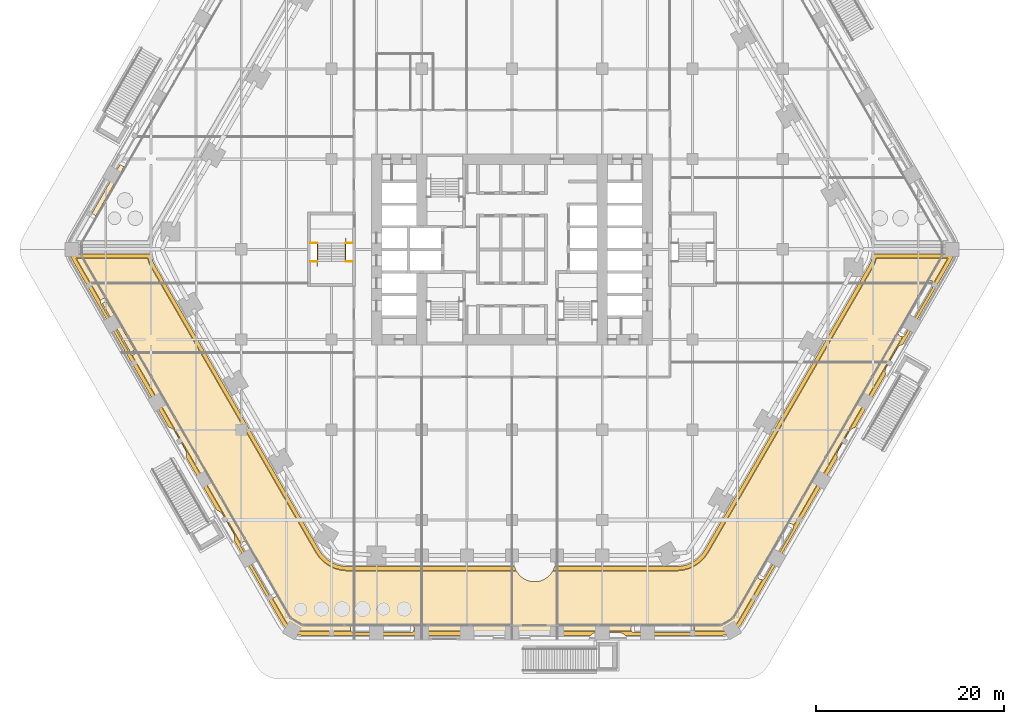
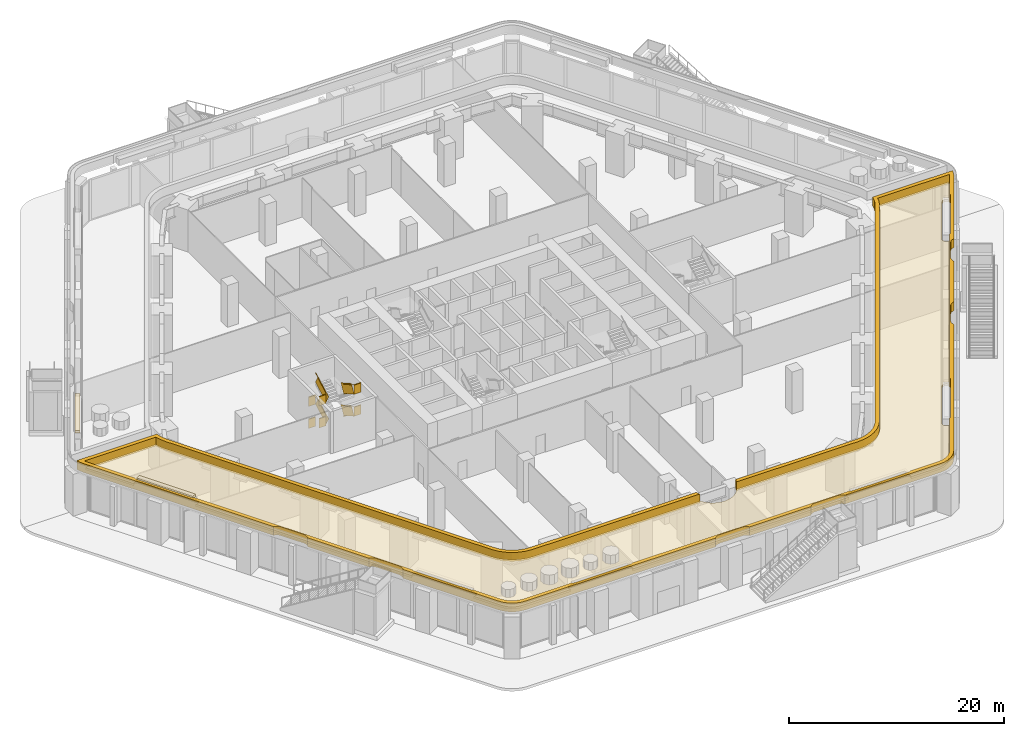
# One storey, part 29 of 34: 4 coverings, 2 railings.
"""IFC4 building model written with IfcOpenShell, lengths in metres."""

from ifc_helpers import new_model, si_unit, direction, frame, frame_2d, origin, origin_2d, place, context, subcontext, project, spatial, polyline, rectangle, outline, extrude, material, layer, layer_set, type_object, element, save


model = new_model("IFC4")

# Units and contexts
model_context = context("Model", 3, precision=1e-05, world=origin(), true_north=direction((0.0, 1.0)))
body_context = subcontext(model_context, "Body", "Model", "MODEL_VIEW")
ifc_project = project(units=[si_unit("LENGTHUNIT", "METRE"), si_unit("AREAUNIT", "SQUARE_METRE"), si_unit("VOLUMEUNIT", "CUBIC_METRE"), si_unit("PLANEANGLEUNIT", "RADIAN"), si_unit("MASSUNIT", "GRAM", prefix="KILO")], contexts=[model_context])

# Site, building, storey
site_placement = place(None, origin())
site = spatial("IfcSite", under=ifc_project, at=site_placement, CompositionType="ELEMENT")
building_placement = place(site_placement, origin())
building = spatial("IfcBuilding", under=site, at=building_placement, Name="Kolab Exchange Tower", CompositionType="ELEMENT")
storey_placement = place(building_placement, frame((0.0, 0.0, 12.39990234375)))
storey = spatial("IfcBuildingStorey", under=building, at=storey_placement, Name="L02", CompositionType="ELEMENT", Elevation=12.39990234375)

# Railings
ifc_material_1 = material(Name="Stainless steel 316", Category="steel")
railing_type = type_object("IfcRailingType", Name="GUARD 1100", PredefinedType="GUARDRAIL", material=ifc_material_1)
railing_1_placement = place(storey_placement, frame((-21.449951171875, 0.64990234375, 0.0)))
element("IfcRailing", 1, at=railing_1_placement, inside=storey, type_object=railing_type, Name="Guard ST5", PredefinedType="GUARDRAIL", context=body_context, shape_type="SweptSolid", body=[
    extrude(rectangle(XDim=0.05, YDim=0.05, at=origin_2d()), frame((0.0, 0.0, 1.0751953125), z_axis=(1.0, 0.0, 0.0), x_axis=(0.0, 1.0, 0.0)), (0.0, 0.0, 1.0), 0.739990234375),
    extrude(rectangle(XDim=0.012, YDim=1.05009765625, at=frame_2d((0.0, 0.525146484375))), frame((0.0, 0.0, 0.0), z_axis=(1.0, 0.0, 0.0), x_axis=(0.0, 1.0, 0.0)), (0.0, 0.0, 1.0), 0.739990234375),
    extrude(rectangle(XDim=0.05, YDim=0.05, at=origin_2d()), frame((3.760009765625, 0.0, 1.0751953125), z_axis=(1.0, 0.0, 0.0), x_axis=(0.0, 1.0, 0.0)), (0.0, 0.0, 1.0), 0.739990234375),
    extrude(rectangle(XDim=0.012, YDim=1.05009765625, at=frame_2d((0.0, 0.525146484375))), frame((3.760009765625, 0.0, 0.0), z_axis=(1.0, 0.0, 0.0), x_axis=(0.0, 1.0, 0.0)), (0.0, 0.0, 1.0), 0.739990234375),
    extrude(rectangle(XDim=0.05, YDim=0.05, at=origin_2d()), frame((0.0, -1.9599609375, 2.3251953125), z_axis=(1.0, 0.0, 0.0), x_axis=(0.0, 1.0, 0.0)), (0.0, 0.0, 1.0), 0.739990234375),
    extrude(rectangle(XDim=0.012, YDim=1.05009765625, at=frame_2d((0.0, 0.525146484375))), frame((0.0, -1.9599609375, 1.25), z_axis=(1.0, 0.0, 0.0), x_axis=(0.0, 1.0, 0.0)), (0.0, 0.0, 1.0), 0.739990234375),
    extrude(rectangle(XDim=0.05, YDim=0.05, at=origin_2d()), frame((3.760009765625, -1.9599609375, 2.3251953125), z_axis=(1.0, 0.0, 0.0), x_axis=(0.0, 1.0, 0.0)), (0.0, 0.0, 1.0), 0.739990234375),
    extrude(rectangle(XDim=0.012, YDim=1.05009765625, at=frame_2d((0.0, 0.525146484375))), frame((3.760009765625, -1.9599609375, 1.25), z_axis=(1.0, 0.0, 0.0), x_axis=(0.0, 1.0, 0.0)), (0.0, 0.0, 1.0), 0.739990234375),
    extrude(rectangle(XDim=0.05, YDim=0.05, at=origin_2d()), frame((0.0, 0.0, 3.5751953125), z_axis=(1.0, 0.0, 0.0), x_axis=(0.0, 1.0, 0.0)), (0.0, 0.0, 1.0), 0.739990234375),
    extrude(rectangle(XDim=0.012, YDim=1.05009765625, at=frame_2d((0.0, 0.525146484375))), frame((0.0, 0.0, 2.5), z_axis=(1.0, 0.0, 0.0), x_axis=(0.0, 1.0, 0.0)), (0.0, 0.0, 1.0), 0.739990234375),
    extrude(rectangle(XDim=0.05, YDim=0.05, at=origin_2d()), frame((3.760009765625, 0.0, 3.5751953125), z_axis=(1.0, 0.0, 0.0), x_axis=(0.0, 1.0, 0.0)), (0.0, 0.0, 1.0), 0.739990234375),
    extrude(rectangle(XDim=0.012, YDim=1.05009765625, at=frame_2d((0.0, 0.525146484375))), frame((3.760009765625, 0.0, 2.5), z_axis=(1.0, 0.0, 0.0), x_axis=(0.0, 1.0, 0.0)), (0.0, 0.0, 1.0), 0.739990234375),
    extrude(rectangle(XDim=0.05, YDim=0.05, at=origin_2d()), frame((0.0, -1.9599609375, 4.8251953125), z_axis=(1.0, 0.0, 0.0), x_axis=(0.0, 1.0, 0.0)), (0.0, 0.0, 1.0), 0.739990234375),
    extrude(rectangle(XDim=0.012, YDim=1.05009765625, at=frame_2d((0.0, 0.525146484375))), frame((0.0, -1.9599609375, 3.75), z_axis=(1.0, 0.0, 0.0), x_axis=(0.0, 1.0, 0.0)), (0.0, 0.0, 1.0), 0.739990234375),
    extrude(rectangle(XDim=0.05, YDim=0.05, at=origin_2d()), frame((3.760009765625, -1.9599609375, 4.8251953125), z_axis=(1.0, 0.0, 0.0), x_axis=(0.0, 1.0, 0.0)), (0.0, 0.0, 1.0), 0.739990234375),
    extrude(rectangle(XDim=0.012, YDim=1.05009765625, at=frame_2d((0.0, 0.525146484375))), frame((3.760009765625, -1.9599609375, 3.75), z_axis=(1.0, 0.0, 0.0), x_axis=(0.0, 1.0, 0.0)), (0.0, 0.0, 1.0), 0.739990234375),
])
railing_2_placement = place(storey_placement, frame((-17.68994140625, 0.64990234375, 0.156494140625)))
element("IfcRailing", 2, at=railing_2_placement, inside=storey, type_object=railing_type, Name="Handrail guard ST5", PredefinedType="GUARDRAIL", context=body_context, shape_type="SweptSolid", body=[
    extrude(rectangle(XDim=0.05, YDim=0.05, at=origin_2d()), frame((0.0, 0.0, 1.0751953125), z_axis=(0.0, -0.873278433264, 0.487221487617), x_axis=(1.0, 0.0, 0.0)), (0.0, 0.0, 1.0), 2.244384765625),
    extrude(rectangle(XDim=0.012, YDim=1.05009765625, at=frame_2d((0.0, 0.525146484375))), frame((0.0, 0.0, 0.0), z_axis=(0.0, -0.873278433264, 0.487221487617), x_axis=(1.0, 0.0, 0.0)), (0.0, 0.0, 1.0), 2.244384765625),
    extrude(rectangle(XDim=0.05, YDim=0.05, at=origin_2d()), frame((-3.02001953125, -1.9599609375, 2.3251953125), z_axis=(0.0, 0.873278433264, 0.487221487617), x_axis=(-1.0, 0.0, 0.0)), (0.0, 0.0, 1.0), 2.244384765625),
    extrude(rectangle(XDim=0.012, YDim=1.05009765625, at=frame_2d((0.0, 0.525146484375))), frame((-3.02001953125, -1.9599609375, 1.25), z_axis=(0.0, 0.873278433264, 0.487221487617), x_axis=(-1.0, 0.0, 0.0)), (0.0, 0.0, 1.0), 2.244384765625),
    extrude(rectangle(XDim=0.05, YDim=0.05, at=origin_2d()), frame((0.0, 0.0, 3.5751953125), z_axis=(0.0, -0.873278433264, 0.487221487617), x_axis=(1.0, 0.0, 0.0)), (0.0, 0.0, 1.0), 2.244384765625),
    extrude(rectangle(XDim=0.012, YDim=1.05009765625, at=frame_2d((0.0, 0.525146484375))), frame((0.0, 0.0, 2.5), z_axis=(0.0, -0.873278433264, 0.487221487617), x_axis=(1.0, 0.0, 0.0)), (0.0, 0.0, 1.0), 2.244384765625),
    extrude(rectangle(XDim=0.05, YDim=0.05, at=origin_2d()), frame((-3.02001953125, -1.9599609375, 4.824951171875), z_axis=(0.0, 0.873232148454, 0.487304437602), x_axis=(-1.0, 0.0, 0.0)), (0.0, 0.0, 1.0), 2.244384765625),
    extrude(rectangle(XDim=0.012, YDim=1.05009765625, at=frame_2d((0.0, 0.525146484375))), frame((-3.02001953125, -1.9599609375, 3.749755859375), z_axis=(0.0, 0.873232148454, 0.487304437602), x_axis=(-1.0, 0.0, 0.0)), (0.0, 0.0, 1.0), 2.244384765625),
])

# Coverings
ifc_material_2 = material(Name="Planting soil and turf", Category="soil")
ifc_layer_1 = layer(ifc_material_2, 0.25)
ifc_layer_set_1 = layer_set([ifc_layer_1], Name="Planting soil and turf")
covering_type_1 = type_object("IfcCoveringType", Name="PLANTING SOIL AND TURF 250", PredefinedType="USERDEFINED", material=ifc_layer_set_1)
covering_1_placement = place(storey_placement, frame((0.0, 0.0, 5.0)))
element("IfcCovering", 3, at=covering_1_placement, inside=storey, type_object=covering_type_1, Name="Planting soil and turf", ObjectType="PLANTING", PredefinedType="USERDEFINED", context=body_context, shape_type="SweptSolid", body=[
    extrude(outline(polyline([(-38.7587890625, -0.949951171875), (-38.651123046875, -1.352294921875), (-38.37744140625, -1.93896484375), (-20.867919921875, -32.266357421875), (-20.49658203125, -32.796630859375), (-20.00927734375, -33.283935546875), (-19.44482421875, -33.67919921875), (-18.820068359375, -33.970458984375), (-18.154541015625, -34.14892578125), (-17.509521484375, -34.205322265625), (0.467529296875, -34.205322265625), (0.57080078125, -34.377685546875), (0.699462890625, -34.551025390625), (0.844482421875, -34.7109375), (1.00439453125, -34.85595703125), (1.177734375, -34.984619140625), (1.363037109375, -35.095703125), (1.55810546875, -35.18798828125), (1.761474609375, -35.2607421875), (1.970703125, -35.31298828125), (2.184326171875, -35.3447265625), (2.39990234375, -35.35546875), (2.61572265625, -35.3447265625), (2.8291015625, -35.31298828125), (3.03857421875, -35.2607421875), (3.241943359375, -35.18798828125), (3.43701171875, -35.095703125), (3.622314453125, -34.984619140625), (3.795654296875, -34.85595703125), (3.95556640625, -34.7109375), (4.1005859375, -34.551025390625), (4.229248046875, -34.377685546875), (4.33251953125, -34.205322265625), (17.509521484375, -34.205322265625), (18.154541015625, -34.14892578125), (18.820068359375, -33.970458984375), (19.44482421875, -33.67919921875), (20.00927734375, -33.283935546875), (20.49658203125, -32.796630859375), (20.867919921875, -32.266357421875), (38.37744140625, -1.93896484375), (38.651123046875, -1.352294921875), (38.7587890625, -0.949951171875), (46.34228515625, -0.949951171875), (46.29052734375, -1.06103515625), (44.849853515625, -3.556396484375), (44.8359375, -3.524658203125), (44.81689453125, -3.490478515625), (44.794677734375, -3.4580078125), (44.769287109375, -3.42822265625), (44.740966796875, -3.40087890625), (44.710205078125, -3.37646484375), (44.67724609375, -3.355224609375), (44.642333984375, -3.337158203125), (44.605712890625, -3.32275390625), (44.568115234375, -3.31201171875), (44.529541015625, -3.304931640625), (44.490234375, -3.3017578125), (44.451171875, -3.302490234375), (44.412109375, -3.306884765625), (44.373779296875, -3.315185546875), (44.33642578125, -3.3271484375), (44.30029296875, -3.3427734375), (44.26611328125, -3.36181640625), (44.233642578125, -3.38427734375), (44.203857421875, -3.40966796875), (44.176513671875, -3.43798828125), (44.152099609375, -3.468505859375), (44.130859375, -3.501708984375), (41.130859375, -8.69775390625), (41.11279296875, -8.732666015625), (41.098388671875, -8.769287109375), (41.087646484375, -8.806884765625), (41.08056640625, -8.845458984375), (41.077392578125, -8.884765625), (41.078125, -8.923828125), (41.08251953125, -8.962890625), (41.0908203125, -9.001220703125), (41.102783203125, -9.03857421875), (41.118408203125, -9.07470703125), (41.137451171875, -9.10888671875), (41.159912109375, -9.141357421875), (41.185302734375, -9.171142578125), (41.21337890625, -9.198486328125), (41.244140625, -9.222900390625), (41.27734375, -9.244140625), (41.312255859375, -9.26220703125), (41.3486328125, -9.276611328125), (41.386474609375, -9.287353515625), (41.425048828125, -9.29443359375), (41.464111328125, -9.297607421875), (41.50341796875, -9.296875), (41.537841796875, -9.29296875), (29.93017578125, -29.397705078125), (29.91650390625, -29.365966796875), (29.8974609375, -29.331787109375), (29.875, -29.299560546875), (29.849609375, -29.26953125), (29.821533203125, -29.2421875), (29.790771484375, -29.2177734375), (29.7578125, -29.196533203125), (29.722900390625, -29.1787109375), (29.686279296875, -29.164306640625), (29.6484375, -29.1533203125), (29.60986328125, -29.146484375), (29.57080078125, -29.143310546875), (29.531494140625, -29.143798828125), (29.492431640625, -29.1484375), (29.4541015625, -29.15673828125), (29.416748046875, -29.168701171875), (29.380859375, -29.184326171875), (29.346435546875, -29.203369140625), (29.314208984375, -29.2255859375), (29.2841796875, -29.2509765625), (29.257080078125, -29.279296875), (29.232666015625, -29.31005859375), (29.211181640625, -29.343017578125), (26.211181640625, -34.5390625), (26.193359375, -34.573974609375), (26.178955078125, -34.610595703125), (26.168212890625, -34.648193359375), (26.1611328125, -34.68701171875), (26.157958984375, -34.72607421875), (26.158447265625, -34.765380859375), (26.1630859375, -34.80419921875), (26.17138671875, -34.8427734375), (26.183349609375, -34.880126953125), (26.198974609375, -34.916015625), (26.218017578125, -34.950439453125), (26.240478515625, -34.982666015625), (26.265869140625, -35.0126953125), (26.2939453125, -35.039794921875), (26.32470703125, -35.064208984375), (26.357666015625, -35.08544921875), (26.392578125, -35.103515625), (26.42919921875, -35.117919921875), (26.466796875, -35.128662109375), (26.505615234375, -35.1357421875), (26.544677734375, -35.138916015625), (26.583984375, -35.13818359375), (26.6181640625, -35.13427734375), (24.06396484375, -39.558349609375), (23.83544921875, -39.884521484375), (23.583251953125, -40.13671875), (23.291015625, -40.34130859375), (22.9677734375, -40.4921875), (22.623291015625, -40.58447265625), (22.2265625, -40.619140625), (19.344970703125, -40.619140625), (19.365478515625, -40.591552734375), (19.3857421875, -40.557861328125), (19.402587890625, -40.522216796875), (19.415771484375, -40.4853515625), (19.42529296875, -40.447265625), (19.430908203125, -40.408447265625), (19.432861328125, -40.369140625), (19.430908203125, -40.330078125), (19.42529296875, -40.291259765625), (19.415771484375, -40.253173828125), (19.402587890625, -40.216064453125), (19.3857421875, -40.1806640625), (19.365478515625, -40.14697265625), (19.342041015625, -40.115478515625), (19.315673828125, -40.08642578125), (19.28662109375, -40.06005859375), (19.255126953125, -40.03662109375), (19.221435546875, -40.016357421875), (19.18603515625, -39.999755859375), (19.14892578125, -39.986328125), (19.11083984375, -39.976806640625), (19.072021484375, -39.97119140625), (19.032958984375, -39.96923828125), (13.032958984375, -39.96923828125), (12.99365234375, -39.97119140625), (12.954833984375, -39.976806640625), (12.916748046875, -39.986328125), (12.8798828125, -39.999755859375), (12.844482421875, -40.016357421875), (12.810791015625, -40.03662109375), (12.779052734375, -40.06005859375), (12.75, -40.08642578125), (12.7236328125, -40.115478515625), (12.700439453125, -40.14697265625), (12.68017578125, -40.1806640625), (12.663330078125, -40.216064453125), (12.650146484375, -40.253173828125), (12.640625, -40.291259765625), (12.634765625, -40.330078125), (12.6328125, -40.369140625), (12.634765625, -40.408447265625), (12.640625, -40.447265625), (12.650146484375, -40.4853515625), (12.663330078125, -40.522216796875), (12.68017578125, -40.557861328125), (12.700439453125, -40.591552734375), (12.720947265625, -40.619140625), (-10.494140625, -40.619140625), (-10.4736328125, -40.591552734375), (-10.453369140625, -40.557861328125), (-10.4365234375, -40.522216796875), (-10.42333984375, -40.4853515625), (-10.413818359375, -40.447265625), (-10.407958984375, -40.408447265625), (-10.40625, -40.369140625), (-10.407958984375, -40.330078125), (-10.413818359375, -40.291259765625), (-10.42333984375, -40.253173828125), (-10.4365234375, -40.216064453125), (-10.453369140625, -40.1806640625), (-10.4736328125, -40.14697265625), (-10.496826171875, -40.115478515625), (-10.523193359375, -40.08642578125), (-10.552490234375, -40.06005859375), (-10.583984375, -40.03662109375), (-10.61767578125, -40.016357421875), (-10.653076171875, -39.999755859375), (-10.68994140625, -39.986328125), (-10.72802734375, -39.976806640625), (-10.766845703125, -39.97119140625), (-10.80615234375, -39.96923828125), (-16.80615234375, -39.96923828125), (-16.84521484375, -39.97119140625), (-16.88427734375, -39.976806640625), (-16.92236328125, -39.986328125), (-16.959228515625, -39.999755859375), (-16.99462890625, -40.016357421875), (-17.0283203125, -40.03662109375), (-17.059814453125, -40.06005859375), (-17.0888671875, -40.08642578125), (-17.115234375, -40.115478515625), (-17.138671875, -40.14697265625), (-17.158935546875, -40.1806640625), (-17.17578125, -40.216064453125), (-17.18896484375, -40.253173828125), (-17.198486328125, -40.291259765625), (-17.2041015625, -40.330078125), (-17.2060546875, -40.369140625), (-17.2041015625, -40.408447265625), (-17.198486328125, -40.447265625), (-17.18896484375, -40.4853515625), (-17.17578125, -40.522216796875), (-17.158935546875, -40.557861328125), (-17.138671875, -40.591552734375), (-17.1181640625, -40.619140625), (-22.2265625, -40.619140625), (-22.623291015625, -40.58447265625), (-22.9677734375, -40.4921875), (-23.291015625, -40.34130859375), (-23.583251953125, -40.13671875), (-23.83544921875, -39.884521484375), (-24.06396484375, -39.558349609375), (-25.5048828125, -37.062744140625), (-25.470458984375, -37.066650390625), (-25.43115234375, -37.0673828125), (-25.39208984375, -37.064208984375), (-25.353515625, -37.05712890625), (-25.315673828125, -37.04638671875), (-25.279296875, -37.031982421875), (-25.244384765625, -37.013916015625), (-25.21142578125, -36.99267578125), (-25.1806640625, -36.96826171875), (-25.15234375, -36.941162109375), (-25.126953125, -36.9111328125), (-25.104736328125, -36.87890625), (-25.08544921875, -36.844482421875), (-25.06982421875, -36.80859375), (-25.057861328125, -36.771240234375), (-25.049560546875, -36.732666015625), (-25.045166015625, -36.69384765625), (-25.04443359375, -36.654541015625), (-25.0478515625, -36.615478515625), (-25.0546875, -36.57666015625), (-25.0654296875, -36.5390625), (-25.080078125, -36.50244140625), (-25.097900390625, -36.467529296875), (-28.097900390625, -31.271484375), (-28.119140625, -31.238525390625), (-28.1435546875, -31.207763671875), (-28.1708984375, -31.179443359375), (-28.20068359375, -31.154052734375), (-28.233154296875, -31.1318359375), (-28.267333984375, -31.11279296875), (-28.303466796875, -31.09716796875), (-28.3408203125, -31.0849609375), (-28.379150390625, -31.076904296875), (-28.418212890625, -31.072265625), (-28.457275390625, -31.07177734375), (-28.49658203125, -31.074951171875), (-28.53515625, -31.081787109375), (-28.572998046875, -31.0927734375), (-28.609375, -31.107177734375), (-28.644287109375, -31.125), (-28.67724609375, -31.146240234375), (-28.7080078125, -31.170654296875), (-28.736328125, -31.197998046875), (-28.76171875, -31.22802734375), (-28.783935546875, -31.26025390625), (-28.802978515625, -31.29443359375), (-28.81689453125, -31.326171875), (-40.42431640625, -11.221435546875), (-40.389892578125, -11.225341796875), (-40.350830078125, -11.22607421875), (-40.3115234375, -11.222900390625), (-40.27294921875, -11.2158203125), (-40.2353515625, -11.205078125), (-40.19873046875, -11.190673828125), (-40.163818359375, -11.172607421875), (-40.130859375, -11.1513671875), (-40.10009765625, -11.126953125), (-40.07177734375, -11.099609375), (-40.04638671875, -11.06982421875), (-40.024169921875, -11.037353515625), (-40.005126953125, -11.003173828125), (-39.989501953125, -10.967041015625), (-39.9775390625, -10.9296875), (-39.96923828125, -10.891357421875), (-39.964599609375, -10.852294921875), (-39.964111328125, -10.813232421875), (-39.96728515625, -10.77392578125), (-39.974365234375, -10.7353515625), (-39.985107421875, -10.69775390625), (-39.99951171875, -10.6611328125), (-40.017333984375, -10.626220703125), (-43.017333984375, -5.43017578125), (-43.03857421875, -5.39697265625), (-43.06298828125, -5.366455078125), (-43.09033203125, -5.338134765625), (-43.120361328125, -5.312744140625), (-43.152587890625, -5.290283203125), (-43.18701171875, -5.271240234375), (-43.222900390625, -5.255615234375), (-43.26025390625, -5.24365234375), (-43.298583984375, -5.2353515625), (-43.337646484375, -5.23095703125), (-43.376953125, -5.230224609375), (-43.416015625, -5.2333984375), (-43.45458984375, -5.240478515625), (-43.492431640625, -5.251220703125), (-43.52880859375, -5.265625), (-43.563720703125, -5.28369140625), (-43.596923828125, -5.304931640625), (-43.627685546875, -5.329345703125), (-43.65576171875, -5.356689453125), (-43.68115234375, -5.386474609375), (-43.70361328125, -5.4189453125), (-43.72265625, -5.453125), (-43.736328125, -5.48486328125), (-46.29052734375, -1.06103515625), (-46.34228515625, -0.949951171875), (-38.7587890625, -0.949951171875)])), origin(), (0.0, 0.0, 1.0), 0.25),
])
covering_2_placement = place(storey_placement, frame((0.0, 0.0, 5.7001953125)))
element("IfcCovering", 4, at=covering_2_placement, inside=storey, type_object=covering_type_1, Name="Planting soil and turf", ObjectType="PLANTING", PredefinedType="USERDEFINED", context=body_context, shape_type="SweptSolid", body=[
    extrude(outline(polyline([(-43.57177734375, -5.75), (-43.156005859375, -5.510009765625), (-40.156005859375, -10.706298828125), (-40.57177734375, -10.9462890625), (-43.57177734375, -5.75)])), origin(), (0.0, 0.0, 1.0), 0.2998046875),
])
covering_3_placement = place(storey_placement, frame((0.0, 0.0, 5.7001953125)))
element("IfcCovering", 5, at=covering_3_placement, inside=storey, type_object=covering_type_1, Name="Planting soil and turf", ObjectType="PLANTING", PredefinedType="USERDEFINED", context=body_context, shape_type="SweptSolid", body=[
    extrude(outline(polyline([(-41.68505859375, 9.017822265625), (-41.269287109375, 8.77783203125), (-44.269287109375, 3.58154296875), (-44.68505859375, 3.821533203125), (-41.68505859375, 9.017822265625)])), origin(), (0.0, 0.0, 1.0), 0.2998046875),
])
ifc_material_3 = material(Name="Terrace hedge planting", Category="soil")
ifc_layer_2 = layer(ifc_material_3, 1.0)
ifc_layer_set_2 = layer_set([ifc_layer_2], Name="Terrace hedge planting")
covering_type_2 = type_object("IfcCoveringType", Name="TERRACE HEDGE 1000 X 400", PredefinedType="USERDEFINED", material=ifc_layer_set_2)
covering_4_placement = place(storey_placement, frame((0.0, 0.0, 5.0)))
element("IfcCovering", 6, at=covering_4_placement, inside=storey, type_object=covering_type_2, Name="Terrace hedge", ObjectType="PLANTING", PredefinedType="USERDEFINED", context=body_context, shape_type="SweptSolid", body=[
    extrude(outline(polyline([(-38.384521484375, -0.608154296875), (-38.2265625, -1.19775390625), (-37.977783203125, -1.731201171875), (-20.488037109375, -32.024169921875), (-20.150634765625, -32.50634765625), (-19.718994140625, -32.93798828125), (-19.218994140625, -33.2880859375), (-18.665771484375, -33.546142578125), (-18.076171875, -33.7041015625), (-17.48974609375, -33.75537109375), (0.28515625, -33.75537109375), (0.294677734375, -33.7939453125), (0.367431640625, -33.997314453125), (0.442138671875, -34.1552734375), (-17.50732421875, -34.1552734375), (-18.145751953125, -34.099609375), (-18.802978515625, -33.92333984375), (-19.419677734375, -33.6357421875), (-19.97705078125, -33.24560546875), (-20.458251953125, -32.764404296875), (-20.82568359375, -32.239501953125), (-38.3330078125, -1.916015625), (-38.60400390625, -1.3349609375), (-38.720458984375, -0.89990234375), (-46.420654296875, -0.89990234375), (-46.3349609375, -1.083984375), (-43.755615234375, -5.551513671875), (-43.758544921875, -5.56494140625), (-43.762939453125, -5.60400390625), (-43.763671875, -5.64306640625), (-43.760498046875, -5.682373046875), (-43.75341796875, -5.720947265625), (-43.74267578125, -5.758544921875), (-43.728271484375, -5.795166015625), (-43.710205078125, -5.830078125), (-40.710205078125, -11.026123046875), (-40.68896484375, -11.059326171875), (-40.66455078125, -11.090087890625), (-40.63720703125, -11.1181640625), (-40.607421875, -11.1435546875), (-40.574951171875, -11.166015625), (-40.540771484375, -11.18505859375), (-40.504638671875, -11.20068359375), (-40.49169921875, -11.204833984375), (-28.836181640625, -31.392822265625), (-28.8388671875, -31.40625), (-28.843505859375, -31.4453125), (-28.843994140625, -31.484619140625), (-28.8408203125, -31.523681640625), (-28.833740234375, -31.562255859375), (-28.822998046875, -31.60009765625), (-28.80859375, -31.636474609375), (-28.790771484375, -31.67138671875), (-25.790771484375, -36.86767578125), (-25.76953125, -36.900634765625), (-25.7451171875, -36.931396484375), (-25.7177734375, -36.95947265625), (-25.687744140625, -36.98486328125), (-25.655517578125, -37.00732421875), (-25.621337890625, -37.0263671875), (-25.585205078125, -37.0419921875), (-25.572265625, -37.046142578125), (-24.106201171875, -39.585205078125), (-23.8740234375, -39.916748046875), (-23.615478515625, -40.17529296875), (-23.316162109375, -40.385009765625), (-22.985107421875, -40.539306640625), (-22.632080078125, -40.634033203125), (-22.228759765625, -40.669189453125), (-17.070068359375, -40.669189453125), (-17.059814453125, -40.678466796875), (-17.0283203125, -40.701904296875), (-16.99462890625, -40.721923828125), (-16.959228515625, -40.73876953125), (-16.92236328125, -40.751953125), (-16.88427734375, -40.761474609375), (-16.84521484375, -40.767333984375), (-16.80615234375, -40.769287109375), (-10.80615234375, -40.769287109375), (-10.766845703125, -40.767333984375), (-10.72802734375, -40.761474609375), (-10.68994140625, -40.751953125), (-10.653076171875, -40.73876953125), (-10.61767578125, -40.721923828125), (-10.583984375, -40.701904296875), (-10.552490234375, -40.678466796875), (-10.542236328125, -40.669189453125), (12.76904296875, -40.669189453125), (12.779052734375, -40.678466796875), (12.810791015625, -40.701904296875), (12.844482421875, -40.721923828125), (12.8798828125, -40.73876953125), (12.916748046875, -40.751953125), (12.954833984375, -40.761474609375), (12.99365234375, -40.767333984375), (13.032958984375, -40.769287109375), (19.032958984375, -40.769287109375), (19.072021484375, -40.767333984375), (19.11083984375, -40.761474609375), (19.14892578125, -40.751953125), (19.18603515625, -40.73876953125), (19.221435546875, -40.721923828125), (19.255126953125, -40.701904296875), (19.28662109375, -40.678466796875), (19.296875, -40.669189453125), (22.228759765625, -40.669189453125), (22.632080078125, -40.634033203125), (22.985107421875, -40.539306640625), (23.316162109375, -40.385009765625), (23.615478515625, -40.17529296875), (23.8740234375, -39.916748046875), (24.106201171875, -39.585205078125), (26.685546875, -35.11767578125), (26.698486328125, -35.113525390625), (26.734619140625, -35.097900390625), (26.76904296875, -35.078857421875), (26.80126953125, -35.056396484375), (26.8310546875, -35.031005859375), (26.8583984375, -35.0029296875), (26.8828125, -34.97216796875), (26.904052734375, -34.939208984375), (29.904052734375, -29.742919921875), (29.922119140625, -29.7080078125), (29.9365234375, -29.671630859375), (29.947265625, -29.6337890625), (29.954345703125, -29.59521484375), (29.95751953125, -29.55615234375), (29.956787109375, -29.516845703125), (29.952392578125, -29.477783203125), (29.949462890625, -29.46435546875), (41.60498046875, -9.2763671875), (41.6181640625, -9.272216796875), (41.654052734375, -9.256591796875), (41.6884765625, -9.237548828125), (41.720703125, -9.215087890625), (41.750732421875, -9.189697265625), (41.778076171875, -9.16162109375), (41.802490234375, -9.130859375), (41.82373046875, -9.09765625), (44.82373046875, -3.901611328125), (44.841552734375, -3.86669921875), (44.85595703125, -3.830078125), (44.86669921875, -3.79248046875), (44.873779296875, -3.75390625), (44.876953125, -3.714599609375), (44.87646484375, -3.675537109375), (44.871826171875, -3.636474609375), (44.868896484375, -3.623046875), (46.3349609375, -1.083984375), (46.420654296875, -0.89990234375), (38.720458984375, -0.89990234375), (38.60400390625, -1.3349609375), (38.3330078125, -1.916015625), (20.82568359375, -32.239501953125), (20.458251953125, -32.764404296875), (19.97705078125, -33.24560546875), (19.419677734375, -33.6357421875), (18.802978515625, -33.92333984375), (18.145751953125, -34.099609375), (17.50732421875, -34.1552734375), (4.357666015625, -34.1552734375), (4.4326171875, -33.997314453125), (4.50537109375, -33.7939453125), (4.514892578125, -33.75537109375), (17.48974609375, -33.75537109375), (18.076171875, -33.7041015625), (18.665771484375, -33.546142578125), (19.218994140625, -33.2880859375), (19.718994140625, -32.93798828125), (20.150634765625, -32.50634765625), (20.488037109375, -32.024169921875), (37.977783203125, -1.731201171875), (38.2265625, -1.19775390625), (38.384521484375, -0.608154296875), (38.39404296875, -0.5), (46.978271484375, -0.5), (46.88330078125, -0.8544921875), (46.68994140625, -1.268798828125), (41.578857421875, -10.12158203125), (41.569580078125, -10.12255859375), (41.492919921875, -10.13916015625), (41.418212890625, -10.1630859375), (41.34619140625, -10.1943359375), (41.277587890625, -10.232666015625), (41.212890625, -10.27734375), (41.153076171875, -10.328125), (41.0986328125, -10.384521484375), (41.0498046875, -10.446044921875), (41.007080078125, -10.511962890625), (39.8046875, -12.5947265625), (39.768798828125, -12.66455078125), (39.739990234375, -12.737548828125), (39.718505859375, -12.81298828125), (39.704345703125, -12.890380859375), (39.697998046875, -12.968505859375), (39.69921875, -13.047119140625), (39.708251953125, -13.125), (39.724853515625, -13.20166015625), (39.748779296875, -13.276611328125), (39.75244140625, -13.28515625), (36.458984375, -18.98974609375), (36.44970703125, -18.99072265625), (36.373046875, -19.00732421875), (36.298095703125, -19.03125), (36.22607421875, -19.0625), (36.157470703125, -19.1005859375), (36.093017578125, -19.145263671875), (36.033203125, -19.196044921875), (35.978515625, -19.25244140625), (35.9296875, -19.31396484375), (35.88720703125, -19.380126953125), (34.687255859375, -21.45849609375), (34.6513671875, -21.5283203125), (34.62255859375, -21.601318359375), (34.600830078125, -21.6767578125), (34.5869140625, -21.754150390625), (34.580322265625, -21.832275390625), (34.581787109375, -21.910888671875), (34.590576171875, -21.98876953125), (34.607177734375, -22.0654296875), (34.63134765625, -22.140380859375), (34.635009765625, -22.14892578125), (24.44384765625, -39.80029296875), (24.181640625, -40.175048828125), (23.873779296875, -40.48291015625), (23.51708984375, -40.732666015625), (23.122314453125, -40.916748046875), (22.70166015625, -41.029296875), (22.24609375, -41.0693359375), (12.02392578125, -41.0693359375), (12.018310546875, -41.061767578125), (11.965576171875, -41.00341796875), (11.907470703125, -40.950927734375), (11.844482421875, -40.904052734375), (11.777099609375, -40.86376953125), (11.7060546875, -40.830078125), (11.63232421875, -40.8037109375), (11.55615234375, -40.78466796875), (11.478515625, -40.77294921875), (11.39990234375, -40.769287109375), (8.9951171875, -40.769287109375), (8.91650390625, -40.77294921875), (8.8388671875, -40.78466796875), (8.7626953125, -40.8037109375), (8.68896484375, -40.830078125), (8.617919921875, -40.86376953125), (8.550537109375, -40.904052734375), (8.487548828125, -40.950927734375), (8.42919921875, -41.00341796875), (8.376708984375, -41.061767578125), (8.37109375, -41.0693359375), (1.783935546875, -41.0693359375), (1.7783203125, -41.061767578125), (1.7255859375, -41.00341796875), (1.66748046875, -40.950927734375), (1.6044921875, -40.904052734375), (1.537109375, -40.86376953125), (1.466064453125, -40.830078125), (1.392333984375, -40.8037109375), (1.316162109375, -40.78466796875), (1.238525390625, -40.77294921875), (1.159912109375, -40.769287109375), (-1.239990234375, -40.769287109375), (-1.318359375, -40.77294921875), (-1.39599609375, -40.78466796875), (-1.47216796875, -40.8037109375), (-1.546142578125, -40.830078125), (-1.6171875, -40.86376953125), (-1.6845703125, -40.904052734375), (-1.74755859375, -40.950927734375), (-1.8056640625, -41.00341796875), (-1.8583984375, -41.061767578125), (-1.864013671875, -41.0693359375), (-22.24609375, -41.0693359375), (-22.70166015625, -41.029296875), (-23.122314453125, -40.916748046875), (-23.51708984375, -40.732666015625), (-23.873779296875, -40.48291015625), (-24.181640625, -40.175048828125), (-24.44384765625, -39.80029296875), (-29.554931640625, -30.94775390625), (-29.55126953125, -30.939208984375), (-29.52734375, -30.8642578125), (-29.5107421875, -30.78759765625), (-29.501708984375, -30.709716796875), (-29.50048828125, -30.631103515625), (-29.5068359375, -30.552978515625), (-29.52099609375, -30.4755859375), (-29.54248046875, -30.400146484375), (-29.5712890625, -30.3271484375), (-29.607177734375, -30.25732421875), (-30.8095703125, -28.174560546875), (-30.852294921875, -28.108642578125), (-30.901123046875, -28.047119140625), (-30.95556640625, -27.99072265625), (-31.015380859375, -27.93994140625), (-31.080078125, -27.895263671875), (-31.148681640625, -27.85693359375), (-31.220703125, -27.82568359375), (-31.29541015625, -27.8017578125), (-31.3720703125, -27.78515625), (-31.381591796875, -27.7841796875), (-34.675048828125, -22.07958984375), (-34.67138671875, -22.071044921875), (-34.647216796875, -21.996337890625), (-34.630615234375, -21.91943359375), (-34.621826171875, -21.841552734375), (-34.620361328125, -21.762939453125), (-34.626953125, -21.684814453125), (-34.640869140625, -21.607421875), (-34.662353515625, -21.531982421875), (-34.69140625, -21.458984375), (-34.727294921875, -21.38916015625), (-35.92724609375, -19.310791015625), (-35.9697265625, -19.244873046875), (-36.0185546875, -19.183349609375), (-36.0732421875, -19.126953125), (-36.133056640625, -19.076171875), (-36.197509765625, -19.031494140625), (-36.26611328125, -18.9931640625), (-36.338134765625, -18.9619140625), (-36.412841796875, -18.93798828125), (-36.48974609375, -18.92138671875), (-36.4990234375, -18.92041015625), (-46.68994140625, -1.268798828125), (-46.88330078125, -0.8544921875), (-46.978271484375, -0.5), (-38.39404296875, -0.5), (-38.384521484375, -0.608154296875)])), origin(), (0.0, 0.0, 1.0), 1.0),
])

save(model, "model.ifc")
